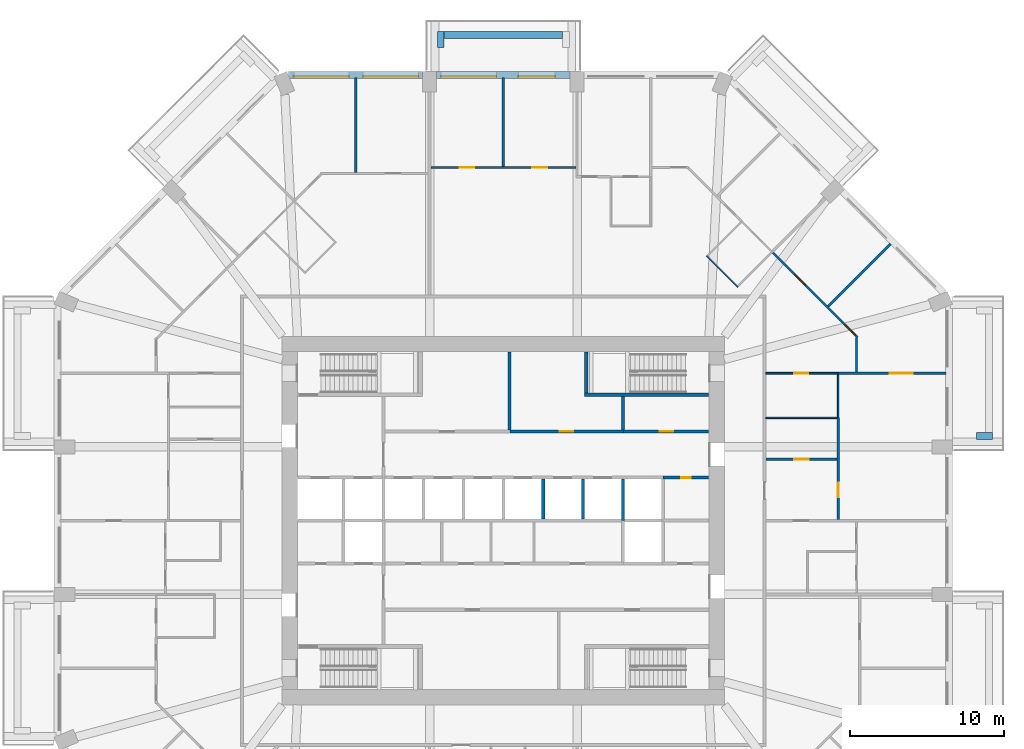
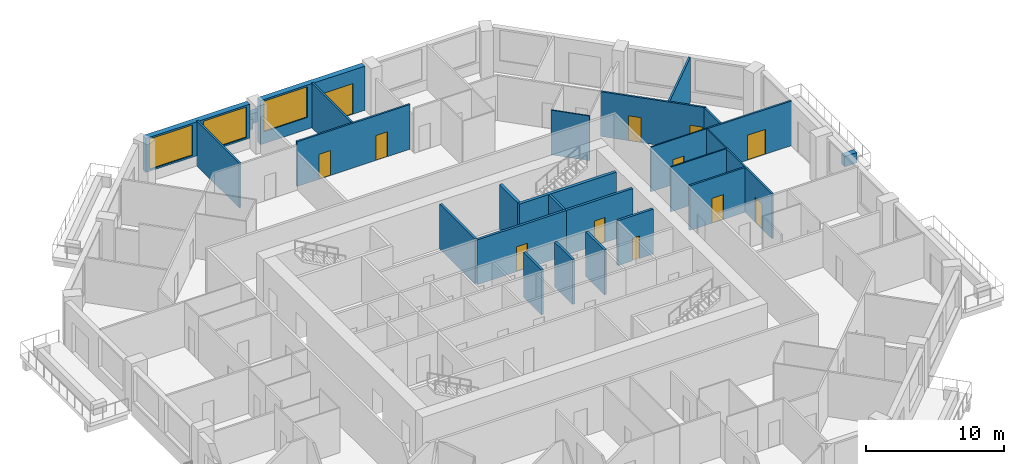
# One storey, part 9 of 13: 28 walls, 12 doors, 3 windows, 15 openings.
"""IFC4 building model written with IfcOpenShell, lengths in metres."""

import ifcopenshell
import ifcopenshell.guid

model = None  # the IFC model being written
_history = None  # IfcOwnerHistory: only IFC2X3 demands one
_inside = {}  # id of a spatial element -> (the spatial element, [elements in it])
_under = {}  # id of a project, library or spatial element -> (it, [spatial elements below it])
_declared = {}  # id of a project -> (the project, [libraries it declares])
_typed = {}  # id of a type object -> (the type object, [elements of that type])
_made_of = {}  # id of a material, layer set ... -> (it, [elements and type objects made of it])


def new_model(schema):
    """Start an empty IFC model of exactly this schema.

    Asked for "IFC4X3", IfcOpenShell would pick the latest addendum, in which some entities
    have other attributes; the version numbers below select the first issue.
    IFC2X3 requires an IfcOwnerHistory on every rooted entity: one is made here for all.
    """
    global model, _history
    if schema == "IFC4X3":
        model = ifcopenshell.file(schema_version=(4, 3, 0, 0))
    else:
        model = ifcopenshell.file(schema=schema)
    _inside.clear()
    _under.clear()
    _declared.clear()
    _typed.clear()
    _made_of.clear()
    _history = None
    if model.schema == "IFC2X3":
        org = make("IfcOrganization", Name="unknown")
        user = make(
            "IfcPersonAndOrganization",
            ThePerson=make("IfcPerson", FamilyName="unknown"),
            TheOrganization=org,
        )
        app = make(
            "IfcApplication",
            ApplicationDeveloper=org,
            Version="unknown",
            ApplicationFullName="unknown",
            ApplicationIdentifier="unknown",
        )
        _history = make(
            "IfcOwnerHistory",
            OwningUser=user,
            OwningApplication=app,
            ChangeAction="ADDED",
            CreationDate=0,
        )
    return model


def make(cls, **values):
    """One entity of the class cls with the attributes given. An attribute that is None is left unset."""
    return model.create_entity(
        cls, **{name: value for name, value in values.items() if value is not None}
    )


def rooted(cls, **values):
    """An entity with a GlobalId (a new one), such as an element, a storey or a relation."""
    return make(cls, GlobalId=ifcopenshell.guid.new(), OwnerHistory=_history, **values)


def si_unit(unit_type, name, prefix=None):
    """IfcSIUnit, for example si_unit("LENGTHUNIT", "METRE", prefix="MILLI")."""
    return make("IfcSIUnit", UnitType=unit_type, Prefix=prefix, Name=name)


def assignment(units):
    """IfcUnitAssignment: the units of a project."""
    return None if units is None else make("IfcUnitAssignment", Units=units)


def point(xyz):
    """IfcCartesianPoint."""
    return None if xyz is None else make("IfcCartesianPoint", Coordinates=xyz)


def direction(xyz):
    """IfcDirection."""
    return None if xyz is None else make("IfcDirection", DirectionRatios=xyz)


def frame(location, z_axis=None, x_axis=None):
    """IfcAxis2Placement3D, a coordinate frame: its origin and axes. An axis left out is left unset."""
    return make(
        "IfcAxis2Placement3D",
        Location=point(location),
        Axis=direction(z_axis),
        RefDirection=direction(x_axis),
    )


def frame_2d(location, x_axis=None):
    """IfcAxis2Placement2D, a coordinate frame in the plane: its origin and x axis."""
    return make(
        "IfcAxis2Placement2D", Location=point(location), RefDirection=direction(x_axis)
    )


def origin():
    """The frame at (0, 0, 0) with its axes left unset."""
    return frame((0.0, 0.0, 0.0))


def place(relative_to, where):
    """IfcLocalPlacement: puts the frame where relative to a parent placement (None: the world)."""
    return make(
        "IfcLocalPlacement", PlacementRelTo=relative_to, RelativePlacement=where
    )


def context(
    kind, dimensions, precision=None, world=None, true_north=None, identifier=None
):
    """IfcGeometricRepresentationContext, for example the 3D "Model" context."""
    return make(
        "IfcGeometricRepresentationContext",
        ContextIdentifier=identifier,
        ContextType=kind,
        CoordinateSpaceDimension=dimensions,
        Precision=precision,
        WorldCoordinateSystem=world,
        TrueNorth=true_north,
    )


def subcontext(parent, identifier, kind, view, scale=None):
    """IfcGeometricRepresentationSubContext, for example "Body" below "Model"."""
    return make(
        "IfcGeometricRepresentationSubContext",
        ContextIdentifier=identifier,
        ContextType=kind,
        ParentContext=parent,
        TargetScale=scale,
        TargetView=view,
    )


def project(units=None, contexts=None):
    """IfcProject with its units and contexts."""
    return rooted(
        "IfcProject",
        Name="project",
        RepresentationContexts=contexts,
        UnitsInContext=assignment(units),
    )


def spatial(cls, under=None, at=None, **own):
    """A site, building, storey or space (cls), placed at a placement, below another one or the project."""
    s = rooted(cls, ObjectPlacement=at, **own)
    if under is not None:
        _under.setdefault(under.id(), (under, []))[1].append(s)
    return s


def profile(cls, at=None, kind="AREA", **sizes):
    """A parametric profile (cls). Its sizes go by their IFC names, for example OverallWidth=200.0."""
    return make(cls, ProfileType=kind, Position=at, **sizes)


def rectangle(**sizes):
    """IfcRectangleProfileDef."""
    return profile("IfcRectangleProfileDef", **sizes)


def extrude(swept, where, along, depth):
    """IfcExtrudedAreaSolid: the profile swept, set in the frame where, extruded along a direction by depth."""
    return make(
        "IfcExtrudedAreaSolid",
        SweptArea=swept,
        Position=where,
        ExtrudedDirection=direction(along),
        Depth=depth,
    )


def shape(context_of_items, identifier, shape_type, items):
    """IfcShapeRepresentation: the items that make up one representation, for example the "Body"."""
    return make(
        "IfcShapeRepresentation",
        ContextOfItems=context_of_items,
        RepresentationIdentifier=identifier,
        RepresentationType=shape_type,
        Items=items,
    )


def material(Name=None, Category=None):
    """IfcMaterial."""
    return make("IfcMaterial", Name=Name, Category=Category)


def layer(
    of_material, thickness, ventilated=None, Name=None, Category=None, Priority=None
):
    """IfcMaterialLayer: one layer of a wall or slab, of a material (None: an air gap)."""
    return make(
        "IfcMaterialLayer",
        Material=of_material,
        LayerThickness=thickness,
        IsVentilated=ventilated,
        Name=Name,
        Category=Category,
        Priority=Priority,
    )


def layer_set(layers, Name=None):
    """IfcMaterialLayerSet."""
    return make("IfcMaterialLayerSet", MaterialLayers=layers, LayerSetName=Name)


def made_of(thing, what):
    """Note that an element or type object is made of a material, layer set ...; save() writes the relation."""
    if what is not None:
        _made_of.setdefault(what.id(), (what, []))[1].append(thing)
    return thing


def type_object(cls, material=None, **own):
    """A type object (cls), such as IfcWallType, which elements share."""
    return made_of(rooted(cls, **own), material)


def element(
    cls,
    number,
    at=None,
    inside=None,
    cuts=None,
    type_object=None,
    material=None,
    context=None,
    identifier="Body",
    shape_type=None,
    held_by="IfcProductDefinitionShape",
    body=None,
    shapes=None,
    **own,
):
    """One element of the class cls, such as IfcWall. Its Tag is "e" and its number.

    at: its placement. inside: the storey or other place that contains it. cuts: it is an
    opening in that element (IfcRelVoidsElement). A single representation is given by context,
    identifier, shape_type and body (its items); several are given by shapes. held_by: the class
    of the entity that holds the representations. save() writes the other relations.
    """
    e = rooted(cls, Tag="e%d" % number, ObjectPlacement=at, **own)
    if body is not None:
        shapes = [shape(context, identifier, shape_type, body)]
    if shapes is not None:
        e.Representation = make(held_by, Representations=shapes)
    if inside is not None:
        _inside.setdefault(inside.id(), (inside, []))[1].append(e)
    if cuts is not None:
        rooted(
            "IfcRelVoidsElement", RelatingBuildingElement=cuts, RelatedOpeningElement=e
        )
    if type_object is not None:
        _typed.setdefault(type_object.id(), (type_object, []))[1].append(e)
    return made_of(e, material)


def fill(opening, filler):
    """IfcRelFillsElement: the door or window that sits in an opening."""
    return rooted(
        "IfcRelFillsElement",
        RelatingOpeningElement=opening,
        RelatedBuildingElement=filler,
    )


def aggregate(whole, parts):
    """IfcRelAggregates: a whole, such as a stair, and the parts it consists of."""
    return rooted("IfcRelAggregates", RelatingObject=whole, RelatedObjects=parts)


def save(model, path):
    """Write the relations noted so far, then the file.

    IfcRelAggregates (storeys below a building ...), IfcRelContainedInSpatialStructure (elements
    in a storey), IfcRelDefinesByType, IfcRelAssociatesMaterial and IfcRelDeclares: one each for
    every whole, place, type object, material and project.
    """
    for whole, parts in _under.values():
        aggregate(whole, parts)
    for where, things in _inside.values():
        rooted(
            "IfcRelContainedInSpatialStructure",
            RelatedElements=things,
            RelatingStructure=where,
        )
    for kind, things in _typed.values():
        rooted("IfcRelDefinesByType", RelatedObjects=things, RelatingType=kind)
    for what, things in _made_of.values():
        rooted("IfcRelAssociatesMaterial", RelatedObjects=things, RelatingMaterial=what)
    for by, libraries in _declared.values():
        rooted("IfcRelDeclares", RelatingContext=by, RelatedDefinitions=libraries)
    model.write(path)


model = new_model("IFC4")

# Units and contexts
model_context = context("Model", 3, precision=1e-05, world=origin(), true_north=direction((0.0, 1.0)))
body_context = subcontext(model_context, "Body", "Model", "MODEL_VIEW")
ifc_project = project(units=[si_unit("LENGTHUNIT", "METRE"), si_unit("AREAUNIT", "SQUARE_METRE"), si_unit("VOLUMEUNIT", "CUBIC_METRE"), si_unit("PLANEANGLEUNIT", "RADIAN"), si_unit("MASSUNIT", "GRAM", prefix="KILO")], contexts=[model_context])

# Site, building, storey
site_placement = place(None, origin())
site = spatial("IfcSite", under=ifc_project, at=site_placement, CompositionType="ELEMENT")
building_placement = place(site_placement, origin())
building = spatial("IfcBuilding", under=site, at=building_placement, Name="Msitu Wima Residences", CompositionType="ELEMENT")
storey_placement = place(building_placement, frame((0.0, 0.0, 59.10009765625)))
storey = spatial("IfcBuildingStorey", under=building, at=storey_placement, Name="L13", CompositionType="ELEMENT", Elevation=59.10009765625)

# Walls
ifc_material_1 = material(Name="Facing brick")
ifc_layer_1 = layer(ifc_material_1, 0.06494140625, Name="Facing brick")
ifc_material_2 = material(Name="Concrete C40/50", Category="concrete")
ifc_layer_2 = layer(ifc_material_2, 0.156005859375, Name="Concrete C40/50")
ifc_material_3 = material(Name="Waterproofing membrane")
ifc_layer_3 = layer(ifc_material_3, 0.00390625, Name="Waterproofing membrane")
ifc_material_4 = material(Name="Planting soil and planting")
ifc_layer_4 = layer(ifc_material_4, 0.22509765625, Name="Planting soil and planting")
ifc_layer_set_1 = layer_set([ifc_layer_1, ifc_layer_2, ifc_layer_3, ifc_layer_4], Name="Concrete C40/50")
wall_type_1 = type_object("IfcWallType", Name="Balcony planter PLANTER PL450", PredefinedType="USERDEFINED", material=ifc_layer_set_1)
wall_1_placement = place(storey_placement, frame((30.800048828125, 5.52490234375, 0.0), z_axis=(0.0, 0.0, 1.0), x_axis=(1.0, 0.0, 0.0)))
element("IfcWall", 1, at=wall_1_placement, inside=storey, type_object=wall_type_1, Name="Balcony planter E2 L13", ObjectType="PLANTER", PredefinedType="USERDEFINED", context=body_context, shape_type="SweptSolid", body=[
    extrude(rectangle(XDim=1.050048828125, YDim=0.449951171875, at=frame_2d((0.52490234375, 0.0))), origin(), (0.0, 0.0, 1.0), 0.89990234375),
])
wall_2_placement = place(storey_placement, frame((3.85009765625, 31.625, 0.0), z_axis=(0.0, 0.0, 1.0), x_axis=(-1.0, 0.0, 0.0)))
element("IfcWall", 2, at=wall_2_placement, inside=storey, type_object=wall_type_1, Name="Balcony planter N1 L13", ObjectType="PLANTER", PredefinedType="USERDEFINED", context=body_context, shape_type="SweptSolid", body=[
    extrude(rectangle(XDim=7.7001953125, YDim=0.449951171875, at=frame_2d((3.85009765625, 0.0))), origin(), (0.0, 0.0, 1.0), 0.89990234375),
])
wall_3_placement = place(storey_placement, frame((-4.074951171875, 30.800048828125, 0.0), z_axis=(0.0, 0.0, 1.0), x_axis=(0.0, 1.0, 0.0)))
element("IfcWall", 3, at=wall_3_placement, inside=storey, type_object=wall_type_1, Name="Balcony planter N1 L13", ObjectType="PLANTER", PredefinedType="USERDEFINED", context=body_context, shape_type="SweptSolid", body=[
    extrude(rectangle(XDim=1.050048828125, YDim=0.449951171875, at=frame_2d((0.52490234375, 0.0))), origin(), (0.0, 0.0, 1.0), 0.89990234375),
])

# Wall, openings, door, window
ifc_material_5 = material(Name="Brick (red buff mix)", Category="masonry")
ifc_layer_5 = layer(ifc_material_5, 0.449951171875)
ifc_layer_set_2 = layer_set([ifc_layer_5], Name="Brick (red buff mix)")
wall_type_2 = type_object("IfcWallType", Name="Brick infill wall BW450", PredefinedType="SOLIDWALL", material=ifc_layer_set_2)
wall_4_placement = place(storey_placement, frame((4.35009765625, 29.02490234375, 0.0), z_axis=(0.0, 0.0, 1.0), x_axis=(-1.0, 0.0, 0.0)))
wall_4 = element("IfcWall", 4, at=wall_4_placement, inside=storey, type_object=wall_type_2, Name="Brick infill wall L13 N1", PredefinedType="SOLIDWALL", context=body_context, shape_type="SweptSolid", body=[
    extrude(rectangle(XDim=8.7001953125, YDim=0.449951171875, at=frame_2d((4.35009765625, 0.0))), origin(), (0.0, 0.0, 1.0), 3.89990234375),
])
opening_1_placement = place(wall_4_placement, frame((0.97509765625, 0.0, 0.0)))
opening_1 = element("IfcOpeningElement", 5, at=opening_1_placement, cuts=wall_4, Name="Opening D13-15.003", PredefinedType="OPENING", context=body_context, shape_type="SweptSolid", body=[
    extrude(rectangle(XDim=2.39990234375, YDim=2.699951171875, at=frame_2d((1.199951171875, 1.35009765625))), frame((0.0, 0.23486328125, 0.0), z_axis=(0.0, -1.0, 0.0), x_axis=(1.0, 0.0, 0.0)), (0.0, 0.0, 1.0), 0.469970703125),
])
opening_2_placement = place(wall_4_placement, frame((4.800048828125, 0.0, 1.050048828125)))
opening_2 = element("IfcOpeningElement", 6, at=opening_2_placement, cuts=wall_4, Name="Opening W13-15.007", PredefinedType="OPENING", context=body_context, shape_type="SweptSolid", body=[
    extrude(rectangle(XDim=3.60009765625, YDim=2.699951171875, at=frame_2d((1.800048828125, 1.35009765625))), frame((0.0, 0.23486328125, 0.0), z_axis=(0.0, -1.0, 0.0), x_axis=(1.0, 0.0, 0.0)), (0.0, 0.0, 1.0), 0.469970703125),
])
ifc_material_6 = material(Name="Anodised aluminium, bronze finish, clear low-emissivity double glazing", Category="aluminium")
door_type_1 = type_object("IfcDoorType", Name="Balcony door D2400x2700", OperationType="SLIDING_TO_LEFT", PredefinedType="DOOR", material=ifc_material_6)
door_1_placement = place(opening_1_placement, origin())
door_1 = element("IfcDoor", 7, at=door_1_placement, inside=storey, type_object=door_type_1, Name="Balcony door L13 N1", OperationType="SINGLE_SWING_LEFT", OverallHeight=2.699951171875, OverallWidth=2.39990234375, PredefinedType="DOOR", context=body_context, shape_type="SweptSolid", body=[
    extrude(rectangle(XDim=2.39990234375, YDim=2.699951171875, at=frame_2d((1.199951171875, 1.35009765625))), frame((0.0, 0.1298828125, 0.0), z_axis=(0.0, -1.0, 0.0), x_axis=(1.0, 0.0, 0.0)), (0.0, 0.0, 1.0), 0.050048828125),
])
fill(opening_1, door_1)
window_type = type_object("IfcWindowType", Name="Window W3600x2700", PartitioningType="DOUBLE_PANEL_VERTICAL", PredefinedType="WINDOW", material=ifc_material_6)
window_1_placement = place(opening_2_placement, origin())
window_1 = element("IfcWindow", 8, at=window_1_placement, inside=storey, type_object=window_type, Name="Window L13 N1.2", OverallHeight=2.699951171875, OverallWidth=3.60009765625, PartitioningType="SINGLE_PANEL", PredefinedType="WINDOW", context=body_context, shape_type="SweptSolid", body=[
    extrude(rectangle(XDim=3.60009765625, YDim=2.699951171875, at=frame_2d((1.800048828125, 1.35009765625))), frame((0.0, 0.135009765625, 0.0), z_axis=(0.0, -1.0, 0.0), x_axis=(1.0, 0.0, 0.0)), (0.0, 0.0, 1.0), 0.06005859375),
])
fill(opening_2, window_1)

# Wall, openings, windows
wall_5_placement = place(storey_placement, frame((-5.25, 29.02490234375, 0.89990234375), z_axis=(0.0, 0.0, 1.0), x_axis=(-1.0, 0.0, 0.0)))
wall_5 = element("IfcWall", 9, at=wall_5_placement, inside=storey, type_object=wall_type_2, Name="Brick infill wall L13 N2", PredefinedType="SOLIDWALL", context=body_context, shape_type="SweptSolid", body=[
    extrude(rectangle(XDim=8.662841796875, YDim=0.449951171875, at=frame_2d((4.33154296875, 0.0))), origin(), (0.0, 0.0, 1.0), 3.0),
])
opening_3_placement = place(wall_5_placement, frame((0.281494140625, 0.0, 0.14990234375)))
opening_3 = element("IfcOpeningElement", 10, at=opening_3_placement, cuts=wall_5, Name="Opening W13-15.008", PredefinedType="OPENING", context=body_context, shape_type="SweptSolid", body=[
    extrude(rectangle(XDim=3.60009765625, YDim=2.699951171875, at=frame_2d((1.800048828125, 1.35009765625))), frame((0.0, 0.23486328125, 0.0), z_axis=(0.0, -1.0, 0.0), x_axis=(1.0, 0.0, 0.0)), (0.0, 0.0, 1.0), 0.469970703125),
])
opening_4_placement = place(wall_5_placement, frame((4.781494140625, 0.0, 0.14990234375)))
opening_4 = element("IfcOpeningElement", 11, at=opening_4_placement, cuts=wall_5, Name="Opening W13-15.009", PredefinedType="OPENING", context=body_context, shape_type="SweptSolid", body=[
    extrude(rectangle(XDim=3.60009765625, YDim=2.699951171875, at=frame_2d((1.800048828125, 1.35009765625))), frame((0.0, 0.23486328125, 0.0), z_axis=(0.0, -1.0, 0.0), x_axis=(1.0, 0.0, 0.0)), (0.0, 0.0, 1.0), 0.469970703125),
])
window_2_placement = place(opening_3_placement, origin())
window_2 = element("IfcWindow", 12, at=window_2_placement, inside=storey, type_object=window_type, Name="Window L13 N2.1", OverallHeight=2.699951171875, OverallWidth=3.60009765625, PartitioningType="SINGLE_PANEL", PredefinedType="WINDOW", context=body_context, shape_type="SweptSolid", body=[
    extrude(rectangle(XDim=3.60009765625, YDim=2.699951171875, at=frame_2d((1.800048828125, 1.35009765625))), frame((0.0, 0.135009765625, 0.0), z_axis=(0.0, -1.0, 0.0), x_axis=(1.0, 0.0, 0.0)), (0.0, 0.0, 1.0), 0.06005859375),
])
fill(opening_3, window_2)
window_3_placement = place(opening_4_placement, origin())
window_3 = element("IfcWindow", 13, at=window_3_placement, inside=storey, type_object=window_type, Name="Window L13 N2.2", OverallHeight=2.699951171875, OverallWidth=3.60009765625, PartitioningType="SINGLE_PANEL", PredefinedType="WINDOW", context=body_context, shape_type="SweptSolid", body=[
    extrude(rectangle(XDim=3.60009765625, YDim=2.699951171875, at=frame_2d((1.800048828125, 1.35009765625))), frame((0.0, 0.135009765625, 0.0), z_axis=(0.0, -1.0, 0.0), x_axis=(1.0, 0.0, 0.0)), (0.0, 0.0, 1.0), 0.06005859375),
])
fill(opening_4, window_3)

# Wall, opening, door
ifc_material_7 = material(Name="Plaster")
ifc_layer_6 = layer(ifc_material_7, 0.011962890625, Name="Plaster")
ifc_material_8 = material(Name="Concrete blockwork", Category="masonry")
ifc_layer_7 = layer(ifc_material_8, 0.176025390625, Name="Concrete blockwork")
ifc_layer_8 = layer(ifc_material_7, 0.011962890625, Name="Plaster")
ifc_layer_set_3 = layer_set([ifc_layer_6, ifc_layer_7, ifc_layer_8], Name="Concrete blockwork")
wall_type_3 = type_object("IfcWallType", Name="Corridor wall FW200", PredefinedType="PARTITIONING", material=ifc_layer_set_3)
wall_6_placement = place(storey_placement, frame((7.820068359375, 5.800048828125, 0.0), z_axis=(0.0, 0.0, 1.0), x_axis=(1.0, 0.0, 0.0)))
wall_6 = element("IfcWall", 14, at=wall_6_placement, inside=storey, type_object=wall_type_3, Name="Corridor wall", PredefinedType="PARTITIONING", context=body_context, shape_type="SweptSolid", body=[
    extrude(rectangle(XDim=5.550048828125, YDim=0.199951171875, at=frame_2d((2.77490234375, 0.0))), origin(), (0.0, 0.0, 1.0), 3.949951171875),
])
opening_5_placement = place(wall_6_placement, frame((2.35009765625, 0.0, 0.0)))
opening_5 = element("IfcOpeningElement", 15, at=opening_5_placement, cuts=wall_6, Name="Opening D13-15.021", PredefinedType="OPENING", context=body_context, shape_type="SweptSolid", body=[
    extrude(rectangle(XDim=0.89990234375, YDim=2.199951171875, at=frame_2d((0.449951171875, 1.10009765625))), frame((0.0, 0.10986328125, 0.0), z_axis=(0.0, -1.0, 0.0), x_axis=(1.0, 0.0, 0.0)), (0.0, 0.0, 1.0), 0.219970703125),
])
ifc_material_9 = material(Name="Timber flush door", Category="wood")
door_type_2 = type_object("IfcDoorType", Name="Service door D05 900x2200", OperationType="SINGLE_SWING_LEFT", PredefinedType="DOOR", material=ifc_material_9)
door_2_placement = place(opening_5_placement, origin())
door_2 = element("IfcDoor", 16, at=door_2_placement, inside=storey, type_object=door_type_2, Name="Service door", OperationType="SINGLE_SWING_LEFT", OverallHeight=2.199951171875, OverallWidth=0.89990234375, PredefinedType="DOOR", context=body_context, shape_type="SweptSolid", body=[
    extrude(rectangle(XDim=0.89990234375, YDim=2.199951171875, at=frame_2d((0.449951171875, 1.10009765625))), frame((0.0, 0.02490234375, 0.0), z_axis=(0.0, -1.0, 0.0), x_axis=(1.0, 0.0, 0.0)), (0.0, 0.0, 1.0), 0.050048828125),
])
fill(opening_5, door_2)

# Wall
ifc_layer_9 = layer(ifc_material_7, 0.011962890625, Name="Plaster")
ifc_layer_10 = layer(ifc_material_8, 0.1259765625, Name="Concrete blockwork")
ifc_layer_11 = layer(ifc_material_7, 0.011962890625, Name="Plaster")
ifc_layer_set_4 = layer_set([ifc_layer_9, ifc_layer_10, ifc_layer_11], Name="Concrete blockwork")
wall_type_4 = type_object("IfcWallType", Name="Partition PW150", PredefinedType="PARTITIONING", material=ifc_layer_set_4)
wall_7_placement = place(storey_placement, frame((-9.60009765625, 22.675048828125, 0.0), z_axis=(0.0, 0.0, 1.0), x_axis=(0.0, 1.0, 0.0)))
element("IfcWall", 17, at=wall_7_placement, inside=storey, type_object=wall_type_4, Name="Partition", PredefinedType="PARTITIONING", context=body_context, shape_type="SweptSolid", body=[
    extrude(rectangle(XDim=6.179931640625, YDim=0.14990234375, at=frame_2d((3.08984375, 0.0))), origin(), (0.0, 0.0, 1.0), 3.949951171875),
])

# Wall, openings, doors
wall_8_placement = place(storey_placement, frame((-4.699951171875, 23.0, 0.0), z_axis=(0.0, 0.0, 1.0), x_axis=(1.0, 0.0, 0.0)))
wall_8 = element("IfcWall", 18, at=wall_8_placement, inside=storey, type_object=wall_type_4, Name="Partition", PredefinedType="PARTITIONING", context=body_context, shape_type="SweptSolid", body=[
    extrude(rectangle(XDim=9.425048828125, YDim=0.14990234375, at=frame_2d((4.71240234375, 0.0))), origin(), (0.0, 0.0, 1.0), 3.949951171875),
])
opening_6_placement = place(wall_8_placement, frame((6.60009765625, 0.0, 0.0)))
opening_6 = element("IfcOpeningElement", 19, at=opening_6_placement, cuts=wall_8, Name="Opening D13-15.088", PredefinedType="OPENING", context=body_context, shape_type="SweptSolid", body=[
    extrude(rectangle(XDim=0.949951171875, YDim=2.199951171875, at=frame_2d((0.47509765625, 1.10009765625))), frame((0.0, 0.0849609375, 0.0), z_axis=(0.0, -1.0, 0.0), x_axis=(1.0, 0.0, 0.0)), (0.0, 0.0, 1.0), 0.169921875),
])
opening_7_placement = place(wall_8_placement, frame((1.85009765625, 0.0, 0.0)))
opening_7 = element("IfcOpeningElement", 20, at=opening_7_placement, cuts=wall_8, Name="Opening D13-15.044", PredefinedType="OPENING", context=body_context, shape_type="SweptSolid", body=[
    extrude(rectangle(XDim=0.949951171875, YDim=2.199951171875, at=frame_2d((0.47509765625, 1.10009765625))), frame((0.0, 0.0849609375, 0.0), z_axis=(0.0, -1.0, 0.0), x_axis=(1.0, 0.0, 0.0)), (0.0, 0.0, 1.0), 0.169921875),
])
door_type_3 = type_object("IfcDoorType", Name="Room door D12 950x2200", OperationType="SINGLE_SWING_LEFT", PredefinedType="DOOR", material=ifc_material_9)
door_3_placement = place(opening_6_placement, origin())
door_3 = element("IfcDoor", 21, at=door_3_placement, inside=storey, type_object=door_type_3, Name="Room door", OperationType="SINGLE_SWING_LEFT", OverallHeight=2.199951171875, OverallWidth=0.949951171875, PredefinedType="DOOR", context=body_context, shape_type="SweptSolid", body=[
    extrude(rectangle(XDim=0.949951171875, YDim=2.199951171875, at=frame_2d((0.47509765625, 1.10009765625))), frame((0.0, 0.02490234375, 0.0), z_axis=(0.0, -1.0, 0.0), x_axis=(1.0, 0.0, 0.0)), (0.0, 0.0, 1.0), 0.050048828125),
])
fill(opening_6, door_3)
door_4_placement = place(opening_7_placement, origin())
door_4 = element("IfcDoor", 22, at=door_4_placement, inside=storey, type_object=door_type_3, Name="Room door", OperationType="SINGLE_SWING_RIGHT", OverallHeight=2.199951171875, OverallWidth=0.949951171875, PredefinedType="DOOR", context=body_context, shape_type="SweptSolid", body=[
    extrude(rectangle(XDim=0.949951171875, YDim=2.199951171875, at=frame_2d((0.47509765625, 1.10009765625))), frame((0.0, 0.02490234375, 0.0), z_axis=(0.0, -1.0, 0.0), x_axis=(1.0, 0.0, 0.0)), (0.0, 0.0, 1.0), 0.050048828125),
])
fill(opening_7, door_4)

# Wall
wall_9_placement = place(storey_placement, frame((0.0, 23.074951171875, 0.0), z_axis=(0.0, 0.0, 1.0), x_axis=(0.0, 1.0, 0.0)))
element("IfcWall", 23, at=wall_9_placement, inside=storey, type_object=wall_type_4, Name="Partition", PredefinedType="PARTITIONING", context=body_context, shape_type="SweptSolid", body=[
    extrude(rectangle(XDim=5.780029296875, YDim=0.14990234375, at=frame_2d((2.89013671875, 0.0))), origin(), (0.0, 0.0, 1.0), 3.949951171875),
])

# Wall, opening, door
wall_10_placement = place(storey_placement, frame((17.10009765625, 4.0, 0.0), z_axis=(0.0, 0.0, 1.0), x_axis=(1.0, 0.0, 0.0)))
wall_10 = element("IfcWall", 24, at=wall_10_placement, inside=storey, type_object=wall_type_4, Name="Partition", PredefinedType="PARTITIONING", context=body_context, shape_type="SweptSolid", body=[
    extrude(rectangle(XDim=4.625, YDim=0.14990234375, at=frame_2d((2.3125, 0.0))), origin(), (0.0, 0.0, 1.0), 3.949951171875),
])
opening_8_placement = place(wall_10_placement, frame((1.85009765625, 0.0, 0.0)))
opening_8 = element("IfcOpeningElement", 25, at=opening_8_placement, cuts=wall_10, Name="Opening D13-15.085", PredefinedType="OPENING", context=body_context, shape_type="SweptSolid", body=[
    extrude(rectangle(XDim=0.949951171875, YDim=2.199951171875, at=frame_2d((0.47509765625, 1.10009765625))), frame((0.0, 0.0849609375, 0.0), z_axis=(0.0, -1.0, 0.0), x_axis=(1.0, 0.0, 0.0)), (0.0, 0.0, 1.0), 0.169921875),
])
door_5_placement = place(opening_8_placement, origin())
door_5 = element("IfcDoor", 26, at=door_5_placement, inside=storey, type_object=door_type_3, Name="Room door", OperationType="SINGLE_SWING_RIGHT", OverallHeight=2.199951171875, OverallWidth=0.949951171875, PredefinedType="DOOR", context=body_context, shape_type="SweptSolid", body=[
    extrude(rectangle(XDim=0.949951171875, YDim=2.199951171875, at=frame_2d((0.47509765625, 1.10009765625))), frame((0.0, 0.02490234375, 0.0), z_axis=(0.0, -1.0, 0.0), x_axis=(1.0, 0.0, 0.0)), (0.0, 0.0, 1.0), 0.050048828125),
])
fill(opening_8, door_5)

# Wall, openings, doors
wall_11_placement = place(storey_placement, frame((17.498779296875, 17.498779296875, 0.0), z_axis=(0.0, 0.0, 1.0), x_axis=(0.707106781187, -0.707106781187, 0.0)))
wall_11 = element("IfcWall", 27, at=wall_11_placement, inside=storey, type_object=wall_type_4, Name="Partition", PredefinedType="PARTITIONING", context=body_context, shape_type="SweptSolid", body=[
    extrude(rectangle(XDim=7.854736328125, YDim=0.14990234375, at=frame_2d((3.92724609375, 0.0))), origin(), (0.0, 0.0, 1.0), 3.949951171875),
])
opening_9_placement = place(wall_11_placement, frame((6.699951171875, 0.0, 0.0)))
opening_9 = element("IfcOpeningElement", 28, at=opening_9_placement, cuts=wall_11, Name="Opening D13-15.086", PredefinedType="OPENING", context=body_context, shape_type="SweptSolid", body=[
    extrude(rectangle(XDim=0.949951171875, YDim=2.199951171875, at=frame_2d((0.47509765625, 1.10009765625))), frame((0.0, 0.0849609375, 0.0), z_axis=(0.0, -1.0, 0.0), x_axis=(1.0, 0.0, 0.0)), (0.0, 0.0, 1.0), 0.169921875),
])
opening_10_placement = place(wall_11_placement, frame((2.10009765625, 0.0, 0.0)))
opening_10 = element("IfcOpeningElement", 29, at=opening_10_placement, cuts=wall_11, Name="Opening D13-15.087", PredefinedType="OPENING", context=body_context, shape_type="SweptSolid", body=[
    extrude(rectangle(XDim=0.949951171875, YDim=2.199951171875, at=frame_2d((0.47509765625, 1.10009765625))), frame((0.0, 0.0849609375, 0.0), z_axis=(0.0, -1.0, 0.0), x_axis=(1.0, 0.0, 0.0)), (0.0, 0.0, 1.0), 0.169921875),
])
door_6_placement = place(opening_9_placement, origin())
door_6 = element("IfcDoor", 30, at=door_6_placement, inside=storey, type_object=door_type_3, Name="Room door", OperationType="SINGLE_SWING_LEFT", OverallHeight=2.199951171875, OverallWidth=0.949951171875, PredefinedType="DOOR", context=body_context, shape_type="SweptSolid", body=[
    extrude(rectangle(XDim=0.949951171875, YDim=2.199951171875, at=frame_2d((0.47509765625, 1.10009765625))), frame((0.0, 0.02490234375, 0.0), z_axis=(0.0, -1.0, 0.0), x_axis=(1.0, 0.0, 0.0)), (0.0, 0.0, 1.0), 0.050048828125),
])
fill(opening_9, door_6)
door_7_placement = place(opening_10_placement, origin())
door_7 = element("IfcDoor", 31, at=door_7_placement, inside=storey, type_object=door_type_3, Name="Room door", OperationType="SINGLE_SWING_RIGHT", OverallHeight=2.199951171875, OverallWidth=0.949951171875, PredefinedType="DOOR", context=body_context, shape_type="SweptSolid", body=[
    extrude(rectangle(XDim=0.949951171875, YDim=2.199951171875, at=frame_2d((0.47509765625, 1.10009765625))), frame((0.0, 0.02490234375, 0.0), z_axis=(0.0, -1.0, 0.0), x_axis=(1.0, 0.0, 0.0)), (0.0, 0.0, 1.0), 0.050048828125),
])
fill(opening_10, door_7)

# Wall
wall_12_placement = place(storey_placement, frame((21.15185546875, 13.951904296875, 0.0), z_axis=(0.0, 0.0, 1.0), x_axis=(0.707128010843, 0.707085550893, 0.0)))
element("IfcWall", 32, at=wall_12_placement, inside=storey, type_object=wall_type_4, Name="Partition", PredefinedType="PARTITIONING", context=body_context, shape_type="SweptSolid", body=[
    extrude(rectangle(XDim=5.75, YDim=0.14990234375, at=frame_2d((2.875, 0.0))), origin(), (0.0, 0.0, 1.0), 3.949951171875),
])

# Wall, opening, door
wall_13_placement = place(storey_placement, frame((21.800048828125, 0.074951171875, 0.0), z_axis=(0.0, 0.0, 1.0), x_axis=(0.0, 1.0, 0.0)))
wall_13 = element("IfcWall", 33, at=wall_13_placement, inside=storey, type_object=wall_type_4, Name="Partition", PredefinedType="PARTITIONING", context=body_context, shape_type="SweptSolid", body=[
    extrude(rectangle(XDim=6.64501953125, YDim=0.14990234375, at=frame_2d((3.322509765625, 0.0))), origin(), (0.0, 0.0, 1.0), 3.949951171875),
])
opening_11_placement = place(wall_13_placement, frame((1.449951171875, 0.0, 0.0)))
opening_11 = element("IfcOpeningElement", 34, at=opening_11_placement, cuts=wall_13, Name="Opening D13-15.049", PredefinedType="OPENING", context=body_context, shape_type="SweptSolid", body=[
    extrude(rectangle(XDim=0.949951171875, YDim=2.199951171875, at=frame_2d((0.47509765625, 1.10009765625))), frame((0.0, 0.0849609375, 0.0), z_axis=(0.0, -1.0, 0.0), x_axis=(1.0, 0.0, 0.0)), (0.0, 0.0, 1.0), 0.169921875),
])
door_8_placement = place(opening_11_placement, origin())
door_8 = element("IfcDoor", 35, at=door_8_placement, inside=storey, type_object=door_type_3, Name="Room door", OperationType="SINGLE_SWING_RIGHT", OverallHeight=2.199951171875, OverallWidth=0.949951171875, PredefinedType="DOOR", context=body_context, shape_type="SweptSolid", body=[
    extrude(rectangle(XDim=0.949951171875, YDim=2.199951171875, at=frame_2d((0.47509765625, 1.10009765625))), frame((0.0, 0.02490234375, 0.0), z_axis=(0.0, -1.0, 0.0), x_axis=(1.0, 0.0, 0.0)), (0.0, 0.0, 1.0), 0.050048828125),
])
fill(opening_11, door_8)

wall_14_placement = place(storey_placement, frame((21.800048828125, 9.60009765625, 0.0), z_axis=(0.0, 0.0, 1.0), x_axis=(1.0, 0.0, 0.0)))
wall_14 = element("IfcWall", 36, at=wall_14_placement, inside=storey, type_object=wall_type_4, Name="Partition", PredefinedType="PARTITIONING", context=body_context, shape_type="SweptSolid", body=[
    extrude(rectangle(XDim=7.02490234375, YDim=0.14990234375, at=frame_2d((3.512451171875, 0.0))), origin(), (0.0, 0.0, 1.0), 3.949951171875),
])
opening_12_placement = place(wall_14_placement, frame((3.35009765625, 0.0, 0.0)))
opening_12 = element("IfcOpeningElement", 37, at=opening_12_placement, cuts=wall_14, Name="Opening D13-15.060", PredefinedType="OPENING", context=body_context, shape_type="SweptSolid", body=[
    extrude(rectangle(XDim=1.5, YDim=2.199951171875, at=frame_2d((0.75, 1.10009765625))), frame((0.0, 0.0849609375, 0.0), z_axis=(0.0, -1.0, 0.0), x_axis=(1.0, 0.0, 0.0)), (0.0, 0.0, 1.0), 0.169921875),
])
ifc_material_10 = material(Name="Timber double door", Category="wood")
door_type_4 = type_object("IfcDoorType", Name="Double door D04 1500x2200", OperationType="DOUBLE_DOOR_SINGLE_SWING", PredefinedType="DOOR", material=ifc_material_10)
door_9_placement = place(opening_12_placement, origin())
door_9 = element("IfcDoor", 38, at=door_9_placement, inside=storey, type_object=door_type_4, Name="Double door", OperationType="DOUBLE_DOOR_SINGLE_SWING", OverallHeight=2.199951171875, OverallWidth=1.5, PredefinedType="DOOR", context=body_context, shape_type="SweptSolid", body=[
    extrude(rectangle(XDim=1.5, YDim=2.199951171875, at=frame_2d((0.75, 1.10009765625))), frame((0.0, 0.02490234375, 0.0), z_axis=(0.0, -1.0, 0.0), x_axis=(1.0, 0.0, 0.0)), (0.0, 0.0, 1.0), 0.050048828125),
])
fill(opening_12, door_9)

# Wall
wall_15_placement = place(storey_placement, frame((23.0, 9.675048828125, 0.0), z_axis=(0.0, 0.0, 1.0), x_axis=(0.0, 1.0, 0.0)))
element("IfcWall", 39, at=wall_15_placement, inside=storey, type_object=wall_type_4, Name="Partition", PredefinedType="PARTITIONING", context=body_context, shape_type="SweptSolid", body=[
    extrude(rectangle(XDim=2.24755859375, YDim=0.14990234375, at=frame_2d((1.123779296875, 0.0))), origin(), (0.0, 0.0, 1.0), 3.949951171875),
])

# Wall, opening, door
ifc_layer_12 = layer(ifc_material_7, 0.011962890625, Name="Plaster")
ifc_material_11 = material(Name="Reinforced concrete blockwork", Category="masonry")
ifc_layer_13 = layer(ifc_material_11, 0.176025390625, Name="Reinforced concrete blockwork")
ifc_layer_14 = layer(ifc_material_7, 0.011962890625, Name="Plaster")
ifc_layer_set_5 = layer_set([ifc_layer_12, ifc_layer_13, ifc_layer_14], Name="Reinforced concrete blockwork")
wall_type_5 = type_object("IfcWallType", Name="Plant and riser wall PL200", PredefinedType="PARTITIONING", material=ifc_layer_set_5)
wall_16_placement = place(storey_placement, frame((0.419921875, 5.800048828125, 0.0), z_axis=(0.0, 0.0, 1.0), x_axis=(1.0, 0.0, 0.0)))
wall_16 = element("IfcWall", 40, at=wall_16_placement, inside=storey, type_object=wall_type_5, Name="Plant and riser wall", PredefinedType="PARTITIONING", context=body_context, shape_type="SweptSolid", body=[
    extrude(rectangle(XDim=7.400146484375, YDim=0.199951171875, at=frame_2d((3.7001953125, 0.0))), origin(), (0.0, 0.0, 1.0), 3.949951171875),
])
opening_13_placement = place(wall_16_placement, frame((3.25, 0.0, 0.0)))
opening_13 = element("IfcOpeningElement", 41, at=opening_13_placement, cuts=wall_16, Name="Opening D13-15.020", PredefinedType="OPENING", context=body_context, shape_type="SweptSolid", body=[
    extrude(rectangle(XDim=0.89990234375, YDim=2.199951171875, at=frame_2d((0.449951171875, 1.10009765625))), frame((0.0, 0.10986328125, 0.0), z_axis=(0.0, -1.0, 0.0), x_axis=(1.0, 0.0, 0.0)), (0.0, 0.0, 1.0), 0.219970703125),
])
door_10_placement = place(opening_13_placement, origin())
door_10 = element("IfcDoor", 42, at=door_10_placement, inside=storey, type_object=door_type_2, Name="Service door", OperationType="SINGLE_SWING_RIGHT", OverallHeight=2.199951171875, OverallWidth=0.89990234375, PredefinedType="DOOR", context=body_context, shape_type="SweptSolid", body=[
    extrude(rectangle(XDim=0.89990234375, YDim=2.199951171875, at=frame_2d((0.449951171875, 1.10009765625))), frame((0.0, 0.02490234375, 0.0), z_axis=(0.0, -1.0, 0.0), x_axis=(1.0, 0.0, 0.0)), (0.0, 0.0, 1.0), 0.050048828125),
])
fill(opening_13, door_10)

# Walls
wall_17_placement = place(storey_placement, frame((0.39990234375, 5.89990234375, 0.0), z_axis=(0.0, 0.0, 1.0), x_axis=(0.0, 1.0, 0.0)))
element("IfcWall", 43, at=wall_17_placement, inside=storey, type_object=wall_type_5, Name="Plant and riser wall", PredefinedType="PARTITIONING", context=body_context, shape_type="SweptSolid", body=[
    extrude(rectangle(XDim=5.070068359375, YDim=0.199951171875, at=frame_2d((2.53515625, 0.0))), origin(), (0.0, 0.0, 1.0), 3.949951171875),
])
wall_18_placement = place(storey_placement, frame((7.800048828125, 5.89990234375, 0.0), z_axis=(0.0, 0.0, 1.0), x_axis=(0.0, 1.0, 0.0)))
element("IfcWall", 44, at=wall_18_placement, inside=storey, type_object=wall_type_5, Name="Plant and riser wall", PredefinedType="PARTITIONING", context=body_context, shape_type="SweptSolid", body=[
    extrude(rectangle(XDim=2.175048828125, YDim=0.199951171875, at=frame_2d((1.08740234375, 0.0))), origin(), (0.0, 0.0, 1.0), 3.949951171875),
])

# Wall, opening, door
wall_19_placement = place(storey_placement, frame((10.39990234375, 2.800048828125, 0.0), z_axis=(0.0, 0.0, 1.0), x_axis=(1.0, 0.0, 0.0)))
wall_19 = element("IfcWall", 45, at=wall_19_placement, inside=storey, type_object=wall_type_5, Name="Plant and riser wall", PredefinedType="PARTITIONING", context=body_context, shape_type="SweptSolid", body=[
    extrude(rectangle(XDim=2.97021484375, YDim=0.199951171875, at=frame_2d((1.485107421875, 0.0))), origin(), (0.0, 0.0, 1.0), 3.949951171875),
])
opening_14_placement = place(wall_19_placement, frame((1.199951171875, 0.0, 0.0)))
opening_14 = element("IfcOpeningElement", 46, at=opening_14_placement, cuts=wall_19, Name="Opening D13-15.026", PredefinedType="OPENING", context=body_context, shape_type="SweptSolid", body=[
    extrude(rectangle(XDim=0.60009765625, YDim=2.0, at=frame_2d((0.300048828125, 1.0))), frame((0.0, 0.10986328125, 0.0), z_axis=(0.0, -1.0, 0.0), x_axis=(1.0, 0.0, 0.0)), (0.0, 0.0, 1.0), 0.219970703125),
])
ifc_material_12 = material(Name="Steel access door, fire resisting", Category="steel")
door_type_5 = type_object("IfcDoorType", Name="Riser access door D08 600x2000", OperationType="SINGLE_SWING_LEFT", PredefinedType="DOOR", material=ifc_material_12)
door_11_placement = place(opening_14_placement, origin())
door_11 = element("IfcDoor", 47, at=door_11_placement, inside=storey, type_object=door_type_5, Name="Riser access door", OperationType="SINGLE_SWING_RIGHT", OverallHeight=2.0, OverallWidth=0.60009765625, PredefinedType="DOOR", context=body_context, shape_type="SweptSolid", body=[
    extrude(rectangle(XDim=0.60009765625, YDim=2.0, at=frame_2d((0.300048828125, 1.0))), frame((0.0, 0.02490234375, 0.0), z_axis=(0.0, -1.0, 0.0), x_axis=(1.0, 0.0, 0.0)), (0.0, 0.0, 1.0), 0.050048828125),
])
fill(opening_14, door_11)

# Walls
ifc_material_13 = material(Name="Fire-rated board")
ifc_layer_15 = layer(ifc_material_13, 0.02490234375, Name="Fire-rated board")
ifc_material_14 = material(Name="Light-gauge stud framing with mineral wool")
ifc_layer_16 = layer(ifc_material_14, 0.14990234375, Name="Light-gauge stud framing with mineral wool")
ifc_layer_17 = layer(ifc_material_13, 0.02490234375, Name="Fire-rated board")
ifc_layer_set_6 = layer_set([ifc_layer_15, ifc_layer_16, ifc_layer_17], Name="Light-gauge stud framing with mineral wool")
wall_type_6 = type_object("IfcWallType", Name="Shaft wall SH200", PredefinedType="PARTITIONING", material=ifc_layer_set_6)
for number, where, z_axis, x_axis, name in (
    (48, (2.60009765625, 0.10009765625, 0.0), (0.0, 0.0, 1.0), (0.0, 1.0, 0.0), "Shaft wall"),
    (49, (5.199951171875, 0.10009765625, 0.0), (0.0, 0.0, 1.0), (0.0, 1.0, 0.0), "Shaft wall"),
):
    element("IfcWall", number, at=place(storey_placement, frame(where, z_axis=z_axis, x_axis=x_axis)), inside=storey, type_object=wall_type_6, Name=name, PredefinedType="PARTITIONING", context=body_context, shape_type="SweptSolid", body=[
        extrude(rectangle(XDim=2.599853515625, YDim=0.199951171875, at=frame_2d((1.2998046875, 0.0))), origin(), (0.0, 0.0, 1.0), 3.949951171875),
    ])
wall_20_placement = place(storey_placement, frame((7.800048828125, 0.0, 0.0), z_axis=(0.0, 0.0, 1.0), x_axis=(0.0, 1.0, 0.0)))
element("IfcWall", 50, at=wall_20_placement, inside=storey, type_object=wall_type_6, Name="Shaft wall", PredefinedType="PARTITIONING", context=body_context, shape_type="SweptSolid", body=[
    extrude(rectangle(XDim=2.699951171875, YDim=0.199951171875, at=frame_2d((1.35009765625, 0.0))), origin(), (0.0, 0.0, 1.0), 3.949951171875),
])
ifc_material_15 = material(Name="Concrete C50/60", Category="concrete")
ifc_layer_18 = layer(ifc_material_15, 0.25)
ifc_layer_set_7 = layer_set([ifc_layer_18], Name="Concrete C50/60")
wall_type_7 = type_object("IfcWallType", Name="Stair enclosure wall SW250", PredefinedType="SHEAR", material=ifc_layer_set_7)
wall_21_placement = place(storey_placement, frame((5.39990234375, 8.324951171875, 0.0), z_axis=(0.0, 0.0, 1.0), x_axis=(0.0, 1.0, 0.0)))
element("IfcWall", 51, at=wall_21_placement, inside=storey, type_object=wall_type_7, Name="Stair enclosure wall", PredefinedType="SHEAR", context=body_context, shape_type="SweptSolid", body=[
    extrude(rectangle(XDim=2.64501953125, YDim=0.25, at=frame_2d((1.322509765625, 0.0))), origin(), (0.0, 0.0, 1.0), 3.949951171875),
])
wall_22_placement = place(storey_placement, frame((5.27490234375, 8.199951171875, 0.0), z_axis=(0.0, 0.0, 1.0), x_axis=(1.0, 0.0, 0.0)))
element("IfcWall", 52, at=wall_22_placement, inside=storey, type_object=wall_type_7, Name="Stair enclosure wall", PredefinedType="SHEAR", context=body_context, shape_type="SweptSolid", body=[
    extrude(rectangle(XDim=8.09521484375, YDim=0.25, at=frame_2d((4.047607421875, 0.0))), origin(), (0.0, 0.0, 1.0), 3.949951171875),
])
ifc_material_16 = material(Name="Ceramic tiles")
ifc_layer_19 = layer(ifc_material_16, 0.008056640625, Name="Ceramic tiles")
ifc_material_17 = material(Name="Moisture-resistant board")
ifc_layer_20 = layer(ifc_material_17, 0.012451171875, Name="Moisture-resistant board")
ifc_layer_21 = layer(ifc_material_14, 0.06689453125, Name="Light-gauge stud framing with mineral wool")
ifc_layer_22 = layer(ifc_material_17, 0.012451171875, Name="Moisture-resistant board")
ifc_layer_set_8 = layer_set([ifc_layer_19, ifc_layer_20, ifc_layer_21, ifc_layer_22], Name="Light-gauge stud framing with mineral wool")
wall_type_8 = type_object("IfcWallType", Name="Wet wall PW100", PredefinedType="PARTITIONING", material=ifc_layer_set_8)
wall_23_placement = place(storey_placement, frame((13.220703125, 17.251220703125, 0.0), z_axis=(0.0, 0.0, 1.0), x_axis=(0.707148872128, -0.707064687739, 0.0)))
element("IfcWall", 53, at=wall_23_placement, inside=storey, type_object=wall_type_8, Name="Wet wall", PredefinedType="PARTITIONING", context=body_context, shape_type="SweptSolid", body=[
    extrude(rectangle(XDim=2.900146484375, YDim=0.10009765625, at=frame_2d((1.4501953125, 0.0))), origin(), (0.0, 0.0, 1.0), 3.949951171875),
])
wall_24_placement = place(storey_placement, frame((17.10009765625, 6.699951171875, 0.0), z_axis=(0.0, 0.0, 1.0), x_axis=(1.0, 0.0, 0.0)))
element("IfcWall", 54, at=wall_24_placement, inside=storey, type_object=wall_type_8, Name="Wet wall", PredefinedType="PARTITIONING", context=body_context, shape_type="SweptSolid", body=[
    extrude(rectangle(XDim=4.625, YDim=0.10009765625, at=frame_2d((2.3125, 0.0))), origin(), (0.0, 0.0, 1.0), 3.949951171875),
])

# Wall, opening, door
wall_25_placement = place(storey_placement, frame((17.10009765625, 9.60009765625, 0.0), z_axis=(0.0, 0.0, 1.0), x_axis=(1.0, 0.0, 0.0)))
wall_25 = element("IfcWall", 55, at=wall_25_placement, inside=storey, type_object=wall_type_8, Name="Wet wall", PredefinedType="PARTITIONING", context=body_context, shape_type="SweptSolid", body=[
    extrude(rectangle(XDim=4.699951171875, YDim=0.10009765625, at=frame_2d((2.35009765625, 0.0))), origin(), (0.0, 0.0, 1.0), 3.949951171875),
])
opening_15_placement = place(wall_25_placement, frame((1.85009765625, 0.0, 0.0)))
opening_15 = element("IfcOpeningElement", 56, at=opening_15_placement, cuts=wall_25, Name="Opening D13-15.043", PredefinedType="OPENING", context=body_context, shape_type="SweptSolid", body=[
    extrude(rectangle(XDim=0.89990234375, YDim=2.199951171875, at=frame_2d((0.449951171875, 1.10009765625))), frame((0.0, 0.06005859375, 0.0), z_axis=(0.0, -1.0, 0.0), x_axis=(1.0, 0.0, 0.0)), (0.0, 0.0, 1.0), 0.1201171875),
])
ifc_material_18 = material(Name="Timber flush door, moisture resistant", Category="wood")
door_type_6 = type_object("IfcDoorType", Name="Bathroom door D03 900x2200", OperationType="SINGLE_SWING_LEFT", PredefinedType="DOOR", material=ifc_material_18)
door_12_placement = place(opening_15_placement, origin())
door_12 = element("IfcDoor", 57, at=door_12_placement, inside=storey, type_object=door_type_6, Name="Bathroom door", OperationType="SINGLE_SWING_RIGHT", OverallHeight=2.199951171875, OverallWidth=0.89990234375, PredefinedType="DOOR", context=body_context, shape_type="SweptSolid", body=[
    extrude(rectangle(XDim=0.89990234375, YDim=2.199951171875, at=frame_2d((0.449951171875, 1.10009765625))), frame((0.0, 0.02490234375, 0.0), z_axis=(0.0, -1.0, 0.0), x_axis=(1.0, 0.0, 0.0)), (0.0, 0.0, 1.0), 0.050048828125),
])
fill(opening_15, door_12)

# Wall
wall_26_placement = place(storey_placement, frame((21.800048828125, 6.719970703125, 0.0), z_axis=(0.0, 0.0, 1.0), x_axis=(0.0, 1.0, 0.0)))
element("IfcWall", 58, at=wall_26_placement, inside=storey, type_object=wall_type_8, Name="Wet wall", PredefinedType="PARTITIONING", context=body_context, shape_type="SweptSolid", body=[
    extrude(rectangle(XDim=2.804931640625, YDim=0.10009765625, at=frame_2d((1.40234375, 0.0))), origin(), (0.0, 0.0, 1.0), 3.949951171875),
])

save(model, "model.ifc")
